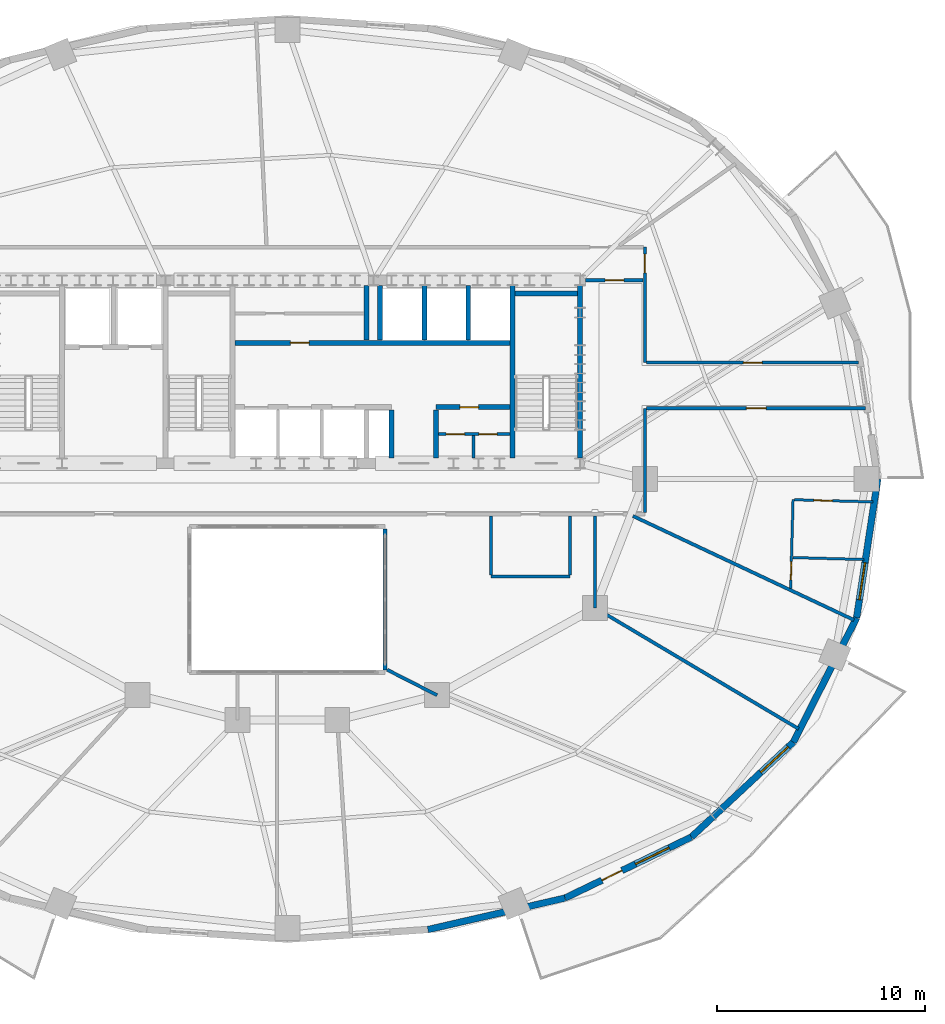
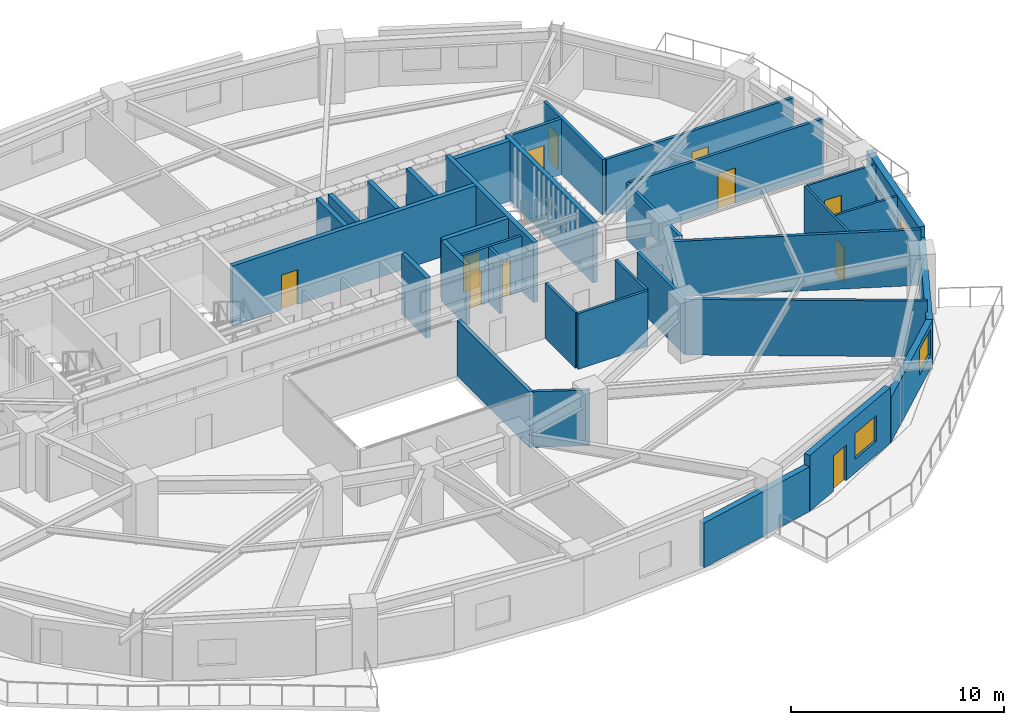
# One storey, part 8 of 13: 34 walls, 11 doors, 3 windows, 14 openings.
"""IFC4 building model written with IfcOpenShell, lengths in metres."""

from ifc_helpers import new_model, si_unit, direction, frame, frame_2d, origin, place, context, subcontext, project, spatial, rectangle, extrude, material, layer, layer_set, type_object, element, fill, save


model = new_model("IFC4")

# Units and contexts
model_context = context("Model", 3, precision=1e-05, world=origin(), true_north=direction((0.0, 1.0)))
body_context = subcontext(model_context, "Body", "Model", "MODEL_VIEW")
ifc_project = project(units=[si_unit("LENGTHUNIT", "METRE"), si_unit("AREAUNIT", "SQUARE_METRE"), si_unit("VOLUMEUNIT", "CUBIC_METRE"), si_unit("PLANEANGLEUNIT", "RADIAN"), si_unit("MASSUNIT", "GRAM", prefix="KILO")], contexts=[model_context])

# Site, building, storey
site_placement = place(None, origin())
site = spatial("IfcSite", under=ifc_project, at=site_placement, CompositionType="ELEMENT")
building_placement = place(site_placement, origin())
building = spatial("IfcBuilding", under=site, at=building_placement, Name="Haldorwick Loom Tower", CompositionType="ELEMENT")
storey_placement = place(building_placement, frame((0.0, 0.0, 124.25)))
storey = spatial("IfcBuildingStorey", under=building, at=storey_placement, Name="L33", CompositionType="ELEMENT", Elevation=124.25)

# Wall
ifc_material_1 = material(Name="Pressed Clay Face Brick and Insulated Masonry Backup Assembly", Category="masonry")
ifc_layer_1 = layer(ifc_material_1, 0.320068359375, Name="Pressed Clay Face Brick and Insulated Masonry Backup Assembly", Category="masonry")
ifc_layer_set_1 = layer_set([ifc_layer_1], Name="Pressed Clay Face Brick and Insulated Masonry Backup Assembly")
wall_type_1 = type_object("IfcWallType", Name="ARC-WL-EXT320", PredefinedType="STANDARD", material=ifc_layer_set_1)
wall_1_placement = place(storey_placement, frame((42.757080078125, 4.325439453125, 0.0), z_axis=(0.0, 0.0, 1.0), x_axis=(0.974584177714, 0.224021607329, 0.0)))
element("IfcWall", 1, at=wall_1_placement, inside=storey, type_object=wall_type_1, Name="L33 Brick Pier and Spandrel Wall 20", PredefinedType="STANDARD", context=body_context, shape_type="SweptSolid", body=[
    extrude(rectangle(XDim=6.767822265625, YDim=0.320068359375, at=frame_2d((3.3837890625, 0.0))), origin(), (0.0, 0.0, 1.0), 2.569091796875),
])

# Wall, openings, door, window
wall_2_placement = place(storey_placement, frame((49.352783203125, 5.841552734375, 0.0), z_axis=(0.0, 0.0, 1.0), x_axis=(0.900510094661, 0.434835106004, 0.0)))
wall_2 = element("IfcWall", 2, at=wall_2_placement, inside=storey, type_object=wall_type_1, Name="L33 Brick Pier and Spandrel Wall 21", PredefinedType="STANDARD", context=body_context, shape_type="SweptSolid", body=[
    extrude(rectangle(XDim=6.744873046875, YDim=0.320068359375, at=frame_2d((3.37255859375, 0.0))), origin(), (0.0, 0.0, 1.0), 3.2099609375),
])
opening_1_placement = place(wall_2_placement, frame((1.96826171875, 0.0, 0.0)))
opening_1 = element("IfcOpeningElement", 3, at=opening_1_placement, cuts=wall_2, Name="Opening D-BL11", PredefinedType="OPENING", context=body_context, shape_type="SweptSolid", body=[
    extrude(rectangle(XDim=1.080078125, YDim=2.0400390625, at=frame_2d((0.5400390625, 1.02001953125))), frame((0.0, 0.169921875, 0.0), z_axis=(0.0, -1.0, 0.0), x_axis=(1.0, 0.0, 0.0)), (0.0, 0.0, 1.0), 0.340087890625),
])
opening_2_placement = place(wall_2_placement, frame((3.763916015625, 0.0, 0.800048828125)))
opening_2 = element("IfcOpeningElement", 4, at=opening_2_placement, cuts=wall_2, Name="Opening W-01", PredefinedType="OPENING", context=body_context, shape_type="SweptSolid", body=[
    extrude(rectangle(XDim=1.800048828125, YDim=1.47998046875, at=frame_2d((0.89990234375, 0.739990234375))), frame((0.0, 0.169921875, 0.0), z_axis=(0.0, -1.0, 0.0), x_axis=(1.0, 0.0, 0.0)), (0.0, 0.0, 1.0), 0.340087890625),
])
ifc_material_2 = material(Name="Thermally Broken Anodized Aluminium Curtain Wall Framing", Category="aluminium")
door_type_1 = type_object("IfcDoorType", Name="ARC-DR-BAL110", OperationType="NOTDEFINED", PredefinedType="DOOR", material=ifc_material_2)
door_1_placement = place(opening_1_placement, origin())
door_1 = element("IfcDoor", 5, at=door_1_placement, inside=storey, type_object=door_type_1, Name="L33 Outdoor Terrace Door SLB-L33-BAL_SE", OperationType="SINGLE_SWING_RIGHT", OverallHeight=2.0400390625, OverallWidth=1.080078125, PredefinedType="DOOR", context=body_context, shape_type="SweptSolid", body=[
    extrude(rectangle(XDim=1.080078125, YDim=2.0400390625, at=frame_2d((0.5400390625, 1.02001953125))), frame((0.0, 0.02490234375, 0.0), z_axis=(0.0, -1.0, 0.0), x_axis=(1.0, 0.0, 0.0)), (0.0, 0.0, 1.0), 0.050048828125),
])
fill(opening_1, door_1)
ifc_material_3 = material(Name="Triple-Glazed Low-E Argon Insulated Glazing Unit", Category="glass")
window_type = type_object("IfcWindowType", Name="ARC-WIN-W180", PartitioningType="SINGLE_PANEL", PredefinedType="WINDOW", material=ifc_material_3)
window_1_placement = place(opening_2_placement, origin())
window_1 = element("IfcWindow", 6, at=window_1_placement, inside=storey, type_object=window_type, Name="L33 Deep-Set Zone 7A Window 21", OverallHeight=1.47998046875, OverallWidth=1.800048828125, PartitioningType="SINGLE_PANEL", PredefinedType="WINDOW", context=body_context, shape_type="SweptSolid", body=[
    extrude(rectangle(XDim=1.800048828125, YDim=1.47998046875, at=frame_2d((0.89990234375, 0.739990234375))), frame((0.0, 0.030029296875, 0.0), z_axis=(0.0, -1.0, 0.0), x_axis=(1.0, 0.0, 0.0)), (0.0, 0.0, 1.0), 0.06005859375),
])
fill(opening_2, window_1)

# Wall, opening, window
wall_3_placement = place(storey_placement, frame((55.426513671875, 8.7744140625, 0.0), z_axis=(0.0, 0.0, 1.0), x_axis=(0.732137360086, 0.681157020052, 0.0)))
wall_3 = element("IfcWall", 7, at=wall_3_placement, inside=storey, type_object=wall_type_1, Name="L33 Brick Pier and Spandrel Wall 22", PredefinedType="STANDARD", context=body_context, shape_type="SweptSolid", body=[
    extrude(rectangle(XDim=6.709228515625, YDim=0.320068359375, at=frame_2d((3.3544921875, 0.0))), origin(), (0.0, 0.0, 1.0), 2.569091796875),
])
opening_3_placement = place(wall_3_placement, frame((4.569580078125, 0.0, 0.800048828125)))
opening_3 = element("IfcOpeningElement", 8, at=opening_3_placement, cuts=wall_3, Name="Opening W-01", PredefinedType="OPENING", context=body_context, shape_type="SweptSolid", body=[
    extrude(rectangle(XDim=1.800048828125, YDim=1.47998046875, at=frame_2d((0.89990234375, 0.739990234375))), frame((0.0, 0.169921875, 0.0), z_axis=(0.0, -1.0, 0.0), x_axis=(1.0, 0.0, 0.0)), (0.0, 0.0, 1.0), 0.340087890625),
])
window_2_placement = place(opening_3_placement, origin())
window_2 = element("IfcWindow", 9, at=window_2_placement, inside=storey, type_object=window_type, Name="L33 Deep-Set Zone 7A Window 22", OverallHeight=1.47998046875, OverallWidth=1.800048828125, PartitioningType="SINGLE_PANEL", PredefinedType="WINDOW", context=body_context, shape_type="SweptSolid", body=[
    extrude(rectangle(XDim=1.800048828125, YDim=1.47998046875, at=frame_2d((0.89990234375, 0.739990234375))), frame((0.0, 0.030029296875, 0.0), z_axis=(0.0, -1.0, 0.0), x_axis=(1.0, 0.0, 0.0)), (0.0, 0.0, 1.0), 0.06005859375),
])
fill(opening_3, window_2)

# Wall
wall_4_placement = place(storey_placement, frame((60.338623046875, 13.344482421875, 0.0), z_axis=(0.0, 0.0, 1.0), x_axis=(0.453374078001, 0.89132033826, 0.0)))
element("IfcWall", 10, at=wall_4_placement, inside=storey, type_object=wall_type_1, Name="L33 Brick Pier and Spandrel Wall 23", PredefinedType="STANDARD", context=body_context, shape_type="SweptSolid", body=[
    extrude(rectangle(XDim=6.709716796875, YDim=0.320068359375, at=frame_2d((3.35498046875, 0.0))), origin(), (0.0, 0.0, 1.0), 2.569091796875),
])

# Wall, opening, window
wall_5_placement = place(storey_placement, frame((63.380615234375, 19.324951171875, 0.0), z_axis=(0.0, 0.0, 1.0), x_axis=(0.150633288003, 0.988589708901, 0.0)))
wall_5 = element("IfcWall", 11, at=wall_5_placement, inside=storey, type_object=wall_type_1, Name="L33 Brick Pier and Spandrel Wall 24", PredefinedType="STANDARD", context=body_context, shape_type="SweptSolid", body=[
    extrude(rectangle(XDim=6.752197265625, YDim=0.320068359375, at=frame_2d((3.3759765625, 0.0))), origin(), (0.0, 0.0, 1.0), 3.2099609375),
])
opening_4_placement = place(wall_5_placement, frame((0.881591796875, 0.0, 0.800048828125)))
opening_4 = element("IfcOpeningElement", 12, at=opening_4_placement, cuts=wall_5, Name="Opening W-01", PredefinedType="OPENING", context=body_context, shape_type="SweptSolid", body=[
    extrude(rectangle(XDim=1.800048828125, YDim=1.47998046875, at=frame_2d((0.89990234375, 0.739990234375))), frame((0.0, 0.169921875, 0.0), z_axis=(0.0, -1.0, 0.0), x_axis=(1.0, 0.0, 0.0)), (0.0, 0.0, 1.0), 0.340087890625),
])
window_3_placement = place(opening_4_placement, origin())
window_3 = element("IfcWindow", 13, at=window_3_placement, inside=storey, type_object=window_type, Name="L33 Deep-Set Zone 7A Window 24", OverallHeight=1.47998046875, OverallWidth=1.800048828125, PartitioningType="SINGLE_PANEL", PredefinedType="WINDOW", context=body_context, shape_type="SweptSolid", body=[
    extrude(rectangle(XDim=1.800048828125, YDim=1.47998046875, at=frame_2d((0.89990234375, 0.739990234375))), frame((0.0, 0.030029296875, 0.0), z_axis=(0.0, -1.0, 0.0), x_axis=(1.0, 0.0, 0.0)), (0.0, 0.0, 1.0), 0.06005859375),
])
fill(opening_4, window_3)

# Wall
ifc_material_4 = material(Name="Fire-Rated Type X Gypsum Stud Assembly EI 60")
ifc_layer_2 = layer(ifc_material_4, 0.159912109375, Name="Fire-Rated Type X Gypsum Stud Assembly EI 60")
ifc_layer_set_2 = layer_set([ifc_layer_2], Name="Fire-Rated Type X Gypsum Stud Assembly EI 60")
wall_type_2 = type_object("IfcWallType", Name="ARC-WL-FIRE160", PredefinedType="PARTITIONING", material=ifc_layer_set_2)
wall_6_placement = place(storey_placement, frame((53.199951171875, 24.383056640625, 0.0), z_axis=(0.0, 0.0, 1.0), x_axis=(0.0, 1.0, 0.0)))
element("IfcWall", 14, at=wall_6_placement, inside=storey, type_object=wall_type_2, Name="L33 Residential Fire Partition L33-CR-E0A", PredefinedType="PARTITIONING", context=body_context, shape_type="SweptSolid", body=[
    extrude(rectangle(XDim=5.016845703125, YDim=0.159912109375, at=frame_2d((2.50830078125, 0.0))), origin(), (0.0, 0.0, 1.0), 3.195068359375),
])

# Wall, opening, door
wall_7_placement = place(storey_placement, frame((53.199951171875, 31.60009765625, 0.0), z_axis=(0.0, 0.0, 1.0), x_axis=(0.0, 1.0, 0.0)))
wall_7 = element("IfcWall", 15, at=wall_7_placement, inside=storey, type_object=wall_type_2, Name="L33 Residential Fire Partition L33-CR-E0B", PredefinedType="PARTITIONING", context=body_context, shape_type="SweptSolid", body=[
    extrude(rectangle(XDim=5.5498046875, YDim=0.159912109375, at=frame_2d((2.77490234375, 0.0))), origin(), (0.0, 0.0, 1.0), 3.195068359375),
])
opening_5_placement = place(wall_7_placement, frame((4.31005859375, 0.0, 0.0)))
opening_5 = element("IfcOpeningElement", 16, at=opening_5_placement, cuts=wall_7, Name="Opening D-FD60A", PredefinedType="OPENING", context=body_context, shape_type="SweptSolid", body=[
    extrude(rectangle(XDim=0.89990234375, YDim=2.0, at=frame_2d((0.449951171875, 1.0))), frame((0.0, 0.08984375, 0.0), z_axis=(0.0, -1.0, 0.0), x_axis=(1.0, 0.0, 0.0)), (0.0, 0.0, 1.0), 0.179931640625),
])
ifc_material_5 = material(Name="Hollow Steel Fire Door Assembly", Category="steel")
door_type_2 = type_object("IfcDoorType", Name="ARC-DR-FD60-90", OperationType="NOTDEFINED", PredefinedType="DOOR", material=ifc_material_5)
door_2_placement = place(opening_5_placement, origin())
door_2 = element("IfcDoor", 17, at=door_2_placement, inside=storey, type_object=door_type_2, Name="L33 L33 North Residential Corridor to Tenant Seminar Room 2 Door", OperationType="SINGLE_SWING_RIGHT", OverallHeight=2.0, OverallWidth=0.89990234375, PredefinedType="DOOR", context=body_context, shape_type="SweptSolid", body=[
    extrude(rectangle(XDim=0.89990234375, YDim=2.0, at=frame_2d((0.449951171875, 1.0))), frame((0.0, 0.02490234375, 0.0), z_axis=(0.0, -1.0, 0.0), x_axis=(1.0, 0.0, 0.0)), (0.0, 0.0, 1.0), 0.050048828125),
])
fill(opening_5, door_2)

wall_8_placement = place(storey_placement, frame((53.282958984375, 29.39990234375, 0.0), z_axis=(0.0, 0.0, 1.0), x_axis=(1.0, 0.0, 0.0)))
wall_8 = element("IfcWall", 18, at=wall_8_placement, inside=storey, type_object=wall_type_2, Name="L33 Residential Fire Partition L33-CR-GE0", PredefinedType="PARTITIONING", context=body_context, shape_type="SweptSolid", body=[
    extrude(rectangle(XDim=10.53076171875, YDim=0.159912109375, at=frame_2d((5.265380859375, 0.0))), origin(), (0.0, 0.0, 1.0), 3.195068359375),
])
opening_6_placement = place(wall_8_placement, frame((4.790283203125, 0.0, 0.0)))
opening_6 = element("IfcOpeningElement", 19, at=opening_6_placement, cuts=wall_8, Name="Opening D-FL95", PredefinedType="OPENING", context=body_context, shape_type="SweptSolid", body=[
    extrude(rectangle(XDim=0.949951171875, YDim=2.0400390625, at=frame_2d((0.47509765625, 1.02001953125))), frame((0.0, 0.08984375, 0.0), z_axis=(0.0, -1.0, 0.0), x_axis=(1.0, 0.0, 0.0)), (0.0, 0.0, 1.0), 0.179931640625),
])
ifc_material_6 = material(Name="Solid Core Birch Architectural Door")
door_type_3 = type_object("IfcDoorType", Name="ARC-DR-FLAT95", OperationType="NOTDEFINED", PredefinedType="DOOR", material=ifc_material_6)
door_3_placement = place(opening_6_placement, origin())
door_3 = element("IfcDoor", 20, at=door_3_placement, inside=storey, type_object=door_type_3, Name="L33 L33 Central Residential Corridor to Unit 33A Kitchen and Living Room", OperationType="SINGLE_SWING_LEFT", OverallHeight=2.0400390625, OverallWidth=0.949951171875, PredefinedType="DOOR", context=body_context, shape_type="SweptSolid", body=[
    extrude(rectangle(XDim=0.949951171875, YDim=2.0400390625, at=frame_2d((0.47509765625, 1.02001953125))), frame((0.0, 0.02490234375, 0.0), z_axis=(0.0, -1.0, 0.0), x_axis=(1.0, 0.0, 0.0)), (0.0, 0.0, 1.0), 0.050048828125),
])
fill(opening_6, door_3)

wall_9_placement = place(storey_placement, frame((53.282958984375, 31.60009765625, 0.0), z_axis=(0.0, 0.0, 1.0), x_axis=(1.0, 0.0, 0.0)))
wall_9 = element("IfcWall", 21, at=wall_9_placement, inside=storey, type_object=wall_type_2, Name="L33 Residential Fire Partition L33-CR-GE1", PredefinedType="PARTITIONING", context=body_context, shape_type="SweptSolid", body=[
    extrude(rectangle(XDim=10.195556640625, YDim=0.159912109375, at=frame_2d((5.09765625, 0.0))), origin(), (0.0, 0.0, 1.0), 3.195068359375),
])
opening_7_placement = place(wall_9_placement, frame((4.647705078125, 0.0, 0.0)))
opening_7 = element("IfcOpeningElement", 22, at=opening_7_placement, cuts=wall_9, Name="Opening D-FD60A", PredefinedType="OPENING", context=body_context, shape_type="SweptSolid", body=[
    extrude(rectangle(XDim=0.89990234375, YDim=2.0, at=frame_2d((0.449951171875, 1.0))), frame((0.0, 0.08984375, 0.0), z_axis=(0.0, -1.0, 0.0), x_axis=(1.0, 0.0, 0.0)), (0.0, 0.0, 1.0), 0.179931640625),
])
door_4_placement = place(opening_7_placement, frame((0.89990234375, 0.0, 0.0), z_axis=(0.0, 0.0, 1.0), x_axis=(-1.0, 0.0, 0.0)))
door_4 = element("IfcDoor", 23, at=door_4_placement, inside=storey, type_object=door_type_2, Name="L33 Tenant Seminar Room 2 to L33 Central Residential Corridor Door", OperationType="SINGLE_SWING_RIGHT", OverallHeight=2.0, OverallWidth=0.89990234375, PredefinedType="DOOR", context=body_context, shape_type="SweptSolid", body=[
    extrude(rectangle(XDim=0.89990234375, YDim=2.0, at=frame_2d((0.449951171875, 1.0))), frame((0.0, 0.02490234375, 0.0), z_axis=(0.0, -1.0, 0.0), x_axis=(1.0, 0.0, 0.0)), (0.0, 0.0, 1.0), 0.050048828125),
])
fill(opening_7, door_4)

wall_10_placement = place(storey_placement, frame((50.35009765625, 35.550048828125, 0.0), z_axis=(0.0, 0.0, 1.0), x_axis=(1.0, 0.0, 0.0)))
wall_10 = element("IfcWall", 24, at=wall_10_placement, inside=storey, type_object=wall_type_2, Name="L33 Residential Fire Partition L33-CR-ENC", PredefinedType="PARTITIONING", context=body_context, shape_type="SweptSolid", body=[
    extrude(rectangle(XDim=2.766845703125, YDim=0.159912109375, at=frame_2d((1.38330078125, 0.0))), origin(), (0.0, 0.0, 1.0), 3.195068359375),
])
opening_8_placement = place(wall_10_placement, frame((0.93359375, 0.0, 0.0)))
opening_8 = element("IfcOpeningElement", 25, at=opening_8_placement, cuts=wall_10, Name="Opening D-FD60A", PredefinedType="OPENING", context=body_context, shape_type="SweptSolid", body=[
    extrude(rectangle(XDim=0.89990234375, YDim=2.0, at=frame_2d((0.449951171875, 1.0))), frame((0.0, 0.08984375, 0.0), z_axis=(0.0, -1.0, 0.0), x_axis=(1.0, 0.0, 0.0)), (0.0, 0.0, 1.0), 0.179931640625),
])
door_5_placement = place(opening_8_placement, origin())
door_5 = element("IfcDoor", 26, at=door_5_placement, inside=storey, type_object=door_type_2, Name="L33 L33 North Residential Corridor to L33 Central Residential Corridor D", OperationType="SINGLE_SWING_RIGHT", OverallHeight=2.0, OverallWidth=0.89990234375, PredefinedType="DOOR", context=body_context, shape_type="SweptSolid", body=[
    extrude(rectangle(XDim=0.89990234375, YDim=2.0, at=frame_2d((0.449951171875, 1.0))), frame((0.0, 0.02490234375, 0.0), z_axis=(0.0, -1.0, 0.0), x_axis=(1.0, 0.0, 0.0)), (0.0, 0.0, 1.0), 0.050048828125),
])
fill(opening_8, door_5)

# Walls
wall_11_placement = place(storey_placement, frame((50.800048828125, 19.800048828125, 0.0), z_axis=(0.0, 0.0, 1.0), x_axis=(0.85958729712, -0.510988922218, 0.0)))
element("IfcWall", 27, at=wall_11_placement, inside=storey, type_object=wall_type_2, Name="L33 Residential Fire Partition L33-ICR-02", PredefinedType="PARTITIONING", context=body_context, shape_type="SweptSolid", body=[
    extrude(rectangle(XDim=11.388427734375, YDim=0.159912109375, at=frame_2d((5.6943359375, 0.0))), origin(), (0.0, 0.0, 1.0), 3.195068359375),
])
wall_12_placement = place(storey_placement, frame((50.800048828125, 24.217041015625, 0.0), z_axis=(0.0, 0.0, 1.0), x_axis=(0.0, -1.0, 0.0)))
element("IfcWall", 28, at=wall_12_placement, inside=storey, type_object=wall_type_2, Name="L33 Residential Fire Partition L33-ICA-01", PredefinedType="PARTITIONING", context=body_context, shape_type="SweptSolid", body=[
    extrude(rectangle(XDim=4.4169921875, YDim=0.159912109375, at=frame_2d((2.20849609375, 0.0))), origin(), (0.0, 0.0, 1.0), 3.195068359375),
])
wall_13_placement = place(storey_placement, frame((40.802978515625, 16.822021484375, 0.0), z_axis=(0.0, 0.0, 1.0), x_axis=(0.890915506237, -0.454169088278, 0.0)))
element("IfcWall", 29, at=wall_13_placement, inside=storey, type_object=wall_type_2, Name="L33 Residential Fire Partition L33-ICA-03", PredefinedType="PARTITIONING", context=body_context, shape_type="SweptSolid", body=[
    extrude(rectangle(XDim=2.6904296875, YDim=0.159912109375, at=frame_2d((1.34521484375, 0.0))), origin(), (0.0, 0.0, 1.0), 3.195068359375),
])
wall_14_placement = place(storey_placement, frame((63.251708984375, 19.215087890625, 0.0), z_axis=(0.0, 0.0, 1.0), x_axis=(-0.904814934117, 0.425805043417, 0.0)))
element("IfcWall", 30, at=wall_14_placement, inside=storey, type_object=wall_type_2, Name="L33 Suite Split Wall", PredefinedType="PARTITIONING", context=body_context, shape_type="SweptSolid", body=[
    extrude(rectangle(XDim=11.7470703125, YDim=0.159912109375, at=frame_2d((5.87353515625, 0.0))), origin(), (0.0, 0.0, 1.0), 3.195068359375),
])
ifc_material_7 = material(Name="Fire-Rated Type X Gypsum Stud Assembly EI 120")
ifc_layer_3 = layer(ifc_material_7, 0.199951171875, Name="Fire-Rated Type X Gypsum Stud Assembly EI 120")
ifc_layer_set_3 = layer_set([ifc_layer_3], Name="Fire-Rated Type X Gypsum Stud Assembly EI 120")
wall_type_3 = type_object("IfcWallType", Name="ARC-WL-FIRE200", PredefinedType="PARTITIONING", material=ifc_layer_set_3)
wall_15_placement = place(storey_placement, frame((40.699951171875, 23.596923828125, 0.0), z_axis=(0.0, 0.0, 1.0), x_axis=(0.0, -1.0, 0.0)))
element("IfcWall", 31, at=wall_15_placement, inside=storey, type_object=wall_type_3, Name="L33 Atrium Fire Enclosure Wall E", PredefinedType="PARTITIONING", context=body_context, shape_type="SweptSolid", body=[
    extrude(rectangle(XDim=6.7939453125, YDim=0.199951171875, at=frame_2d((3.39697265625, 0.0))), origin(), (0.0, 0.0, 1.0), 3.195068359375),
])

# Wall, opening, door
ifc_material_8 = material(Name="Acoustic Gypsum Stud Assembly STC 55")
ifc_layer_4 = layer(ifc_material_8, 0.1201171875, Name="Acoustic Gypsum Stud Assembly STC 55")
ifc_layer_set_4 = layer_set([ifc_layer_4], Name="Acoustic Gypsum Stud Assembly STC 55")
wall_type_4 = type_object("IfcWallType", Name="ARC-WL-PART120", PredefinedType="PARTITIONING", material=ifc_layer_set_4)
wall_16_placement = place(storey_placement, frame((60.20458984375, 20.74072265625, 0.0), z_axis=(0.0, 0.0, 1.0), x_axis=(0.027549271467, 0.999620446791, 0.0)))
wall_16 = element("IfcWall", 32, at=wall_16_placement, inside=storey, type_object=wall_type_4, Name="L33 Unit 33A Interior Partition", PredefinedType="PARTITIONING", context=body_context, shape_type="SweptSolid", body=[
    extrude(rectangle(XDim=4.2626953125, YDim=0.1201171875, at=frame_2d((2.13134765625, 0.0))), origin(), (0.0, 0.0, 1.0), 3.195068359375),
])
opening_9_placement = place(wall_16_placement, frame((0.401123046875, 0.0, 0.0)))
opening_9 = element("IfcOpeningElement", 33, at=opening_9_placement, cuts=wall_16, Name="Opening D-BT88", PredefinedType="OPENING", context=body_context, shape_type="SweptSolid", body=[
    extrude(rectangle(XDim=0.8798828125, YDim=2.02001953125, at=frame_2d((0.43994140625, 1.010009765625))), frame((0.0, 0.070068359375, 0.0), z_axis=(0.0, -1.0, 0.0), x_axis=(1.0, 0.0, 0.0)), (0.0, 0.0, 1.0), 0.14013671875),
])
door_type_4 = type_object("IfcDoorType", Name="ARC-DR-BATH88", OperationType="NOTDEFINED", PredefinedType="DOOR", material=ifc_material_6)
door_6_placement = place(opening_9_placement, origin())
door_6 = element("IfcDoor", 34, at=door_6_placement, inside=storey, type_object=door_type_4, Name="L33 Unit 33A Kitchen and Living Room to Unit 33A Bathroom Door", OperationType="SINGLE_SWING_LEFT", OverallHeight=2.02001953125, OverallWidth=0.8798828125, PredefinedType="DOOR", context=body_context, shape_type="SweptSolid", body=[
    extrude(rectangle(XDim=0.8798828125, YDim=2.02001953125, at=frame_2d((0.43994140625, 1.010009765625))), frame((0.0, 0.02490234375, 0.0), z_axis=(0.0, -1.0, 0.0), x_axis=(1.0, 0.0, 0.0)), (0.0, 0.0, 1.0), 0.050048828125),
])
fill(opening_9, door_6)

wall_17_placement = place(storey_placement, frame((60.385009765625, 25.0, 0.0), z_axis=(0.0, 0.0, 1.0), x_axis=(0.999621410161, -0.027514293515, 0.0)))
wall_17 = element("IfcWall", 35, at=wall_17_placement, inside=storey, type_object=wall_type_4, Name="L33 Unit 33A Interior Partition", PredefinedType="PARTITIONING", context=body_context, shape_type="SweptSolid", body=[
    extrude(rectangle(XDim=3.780029296875, YDim=0.1201171875, at=frame_2d((1.89013671875, 0.0))), origin(), (0.0, 0.0, 1.0), 3.195068359375),
])
opening_10_placement = place(wall_17_placement, frame((0.9345703125, 0.0, 0.0)))
opening_10 = element("IfcOpeningElement", 36, at=opening_10_placement, cuts=wall_17, Name="Opening D-IN90", PredefinedType="OPENING", context=body_context, shape_type="SweptSolid", body=[
    extrude(rectangle(XDim=0.89990234375, YDim=2.0400390625, at=frame_2d((0.449951171875, 1.02001953125))), frame((0.0, 0.070068359375, 0.0), z_axis=(0.0, -1.0, 0.0), x_axis=(1.0, 0.0, 0.0)), (0.0, 0.0, 1.0), 0.14013671875),
])
door_type_5 = type_object("IfcDoorType", Name="ARC-DR-INT90", OperationType="NOTDEFINED", PredefinedType="DOOR", material=ifc_material_6)
door_7_placement = place(opening_10_placement, origin())
door_7 = element("IfcDoor", 37, at=door_7_placement, inside=storey, type_object=door_type_5, Name="L33 Unit 33A Kitchen and Living Room to Unit 33A Bedroom 1 Door", OperationType="SINGLE_SWING_LEFT", OverallHeight=2.0400390625, OverallWidth=0.89990234375, PredefinedType="DOOR", context=body_context, shape_type="SweptSolid", body=[
    extrude(rectangle(XDim=0.89990234375, YDim=2.0400390625, at=frame_2d((0.449951171875, 1.02001953125))), frame((0.0, 0.02490234375, 0.0), z_axis=(0.0, -1.0, 0.0), x_axis=(1.0, 0.0, 0.0)), (0.0, 0.0, 1.0), 0.050048828125),
])
fill(opening_10, door_7)

# Wall
wall_18_placement = place(storey_placement, frame((60.308349609375, 22.219482421875, 0.0), z_axis=(0.0, 0.0, 1.0), x_axis=(0.999621512858, -0.027510562187, 0.0)))
element("IfcWall", 38, at=wall_18_placement, inside=storey, type_object=wall_type_4, Name="L33 Unit 33A Interior Partition", PredefinedType="PARTITIONING", context=body_context, shape_type="SweptSolid", body=[
    extrude(rectangle(XDim=3.434326171875, YDim=0.1201171875, at=frame_2d((1.71728515625, 0.0))), origin(), (0.0, 0.0, 1.0), 3.195068359375),
])

# Wall, openings, doors
ifc_layer_5 = layer(ifc_material_4, 0.139892578125, Name="Fire-Rated Type X Gypsum Stud Assembly EI 60")
ifc_layer_set_5 = layer_set([ifc_layer_5], Name="Fire-Rated Type X Gypsum Stud Assembly EI 60")
wall_type_5 = type_object("IfcWallType", Name="ARC-WL-PART140", PredefinedType="PARTITIONING", material=ifc_layer_set_5)
wall_19_placement = place(storey_placement, frame((43.27294921875, 28.159912109375, 0.0), z_axis=(0.0, 0.0, 1.0), x_axis=(1.0, 0.0, 0.0)))
wall_19 = element("IfcWall", 39, at=wall_19_placement, inside=storey, type_object=wall_type_5, Name="L33 Telecom Partition", PredefinedType="PARTITIONING", context=body_context, shape_type="SweptSolid", body=[
    extrude(rectangle(XDim=3.43408203125, YDim=0.139892578125, at=frame_2d((1.717041015625, 0.0))), origin(), (0.0, 0.0, 1.0), 3.195068359375),
])
opening_11_placement = place(wall_19_placement, frame((0.366943359375, 0.0, 0.0)))
opening_11 = element("IfcOpeningElement", 40, at=opening_11_placement, cuts=wall_19, Name="Opening D-BT88", PredefinedType="OPENING", context=body_context, shape_type="SweptSolid", body=[
    extrude(rectangle(XDim=0.8798828125, YDim=2.02001953125, at=frame_2d((0.43994140625, 1.010009765625))), frame((0.0, 0.079833984375, 0.0), z_axis=(0.0, -1.0, 0.0), x_axis=(1.0, 0.0, 0.0)), (0.0, 0.0, 1.0), 0.159912109375),
])
opening_12_placement = place(wall_19_placement, frame((1.93701171875, 0.0, 0.0)))
opening_12 = element("IfcOpeningElement", 41, at=opening_12_placement, cuts=wall_19, Name="Opening D-BT88", PredefinedType="OPENING", context=body_context, shape_type="SweptSolid", body=[
    extrude(rectangle(XDim=0.8798828125, YDim=2.02001953125, at=frame_2d((0.43994140625, 1.010009765625))), frame((0.0, 0.079833984375, 0.0), z_axis=(0.0, -1.0, 0.0), x_axis=(1.0, 0.0, 0.0)), (0.0, 0.0, 1.0), 0.159912109375),
])
door_8_placement = place(opening_11_placement, origin())
door_8 = element("IfcDoor", 42, at=door_8_placement, inside=storey, type_object=door_type_4, Name="L33 Telecom Room Door", OperationType="SINGLE_SWING_LEFT", OverallHeight=2.02001953125, OverallWidth=0.8798828125, PredefinedType="DOOR", context=body_context, shape_type="SweptSolid", body=[
    extrude(rectangle(XDim=0.8798828125, YDim=2.02001953125, at=frame_2d((0.43994140625, 1.010009765625))), frame((0.0, 0.02490234375, 0.0), z_axis=(0.0, -1.0, 0.0), x_axis=(1.0, 0.0, 0.0)), (0.0, 0.0, 1.0), 0.050048828125),
])
fill(opening_11, door_8)
door_9_placement = place(opening_12_placement, origin())
door_9 = element("IfcDoor", 43, at=door_9_placement, inside=storey, type_object=door_type_4, Name="L33 Metering Closet Door", OperationType="SINGLE_SWING_RIGHT", OverallHeight=2.02001953125, OverallWidth=0.8798828125, PredefinedType="DOOR", context=body_context, shape_type="SweptSolid", body=[
    extrude(rectangle(XDim=0.8798828125, YDim=2.02001953125, at=frame_2d((0.43994140625, 1.010009765625))), frame((0.0, 0.02490234375, 0.0), z_axis=(0.0, -1.0, 0.0), x_axis=(1.0, 0.0, 0.0)), (0.0, 0.0, 1.0), 0.050048828125),
])
fill(opening_12, door_9)

# Walls
wall_20_placement = place(storey_placement, frame((44.949951171875, 27.0029296875, 0.0), z_axis=(0.0, 0.0, 1.0), x_axis=(0.0, 1.0, 0.0)))
element("IfcWall", 44, at=wall_20_placement, inside=storey, type_object=wall_type_5, Name="L33 Metering Sub-Partition", PredefinedType="PARTITIONING", context=body_context, shape_type="SweptSolid", body=[
    extrude(rectangle(XDim=1.083984375, YDim=0.139892578125, at=frame_2d((0.5419921875, 0.0))), origin(), (0.0, 0.0, 1.0), 3.195068359375),
])
wall_21_placement = place(storey_placement, frame((45.800048828125, 21.300048828125, 0.0), z_axis=(0.0, 0.0, 1.0), x_axis=(1.0, 0.0, 0.0)))
element("IfcWall", 45, at=wall_21_placement, inside=storey, type_object=wall_type_5, Name="L33 Residential Fire Partition L33-CWC-S", PredefinedType="PARTITIONING", context=body_context, shape_type="SweptSolid", body=[
    extrude(rectangle(XDim=3.800048828125, YDim=0.139892578125, at=frame_2d((1.89990234375, 0.0))), origin(), (0.0, 0.0, 1.0), 3.195068359375),
])
for number, where, z_axis, x_axis, name in (
    (46, (45.800048828125, 21.373046875, 0.0), (0.0, 0.0, 1.0), (0.0, 1.0, 0.0), "L33 Residential Fire Partition L33-CWC-W"),
    (47, (49.60009765625, 21.373046875, 0.0), (0.0, 0.0, 1.0), (0.0, 1.0, 0.0), "L33 Residential Fire Partition L33-CWC-E"),
):
    element("IfcWall", number, at=place(storey_placement, frame(where, z_axis=z_axis, x_axis=x_axis)), inside=storey, type_object=wall_type_5, Name=name, PredefinedType="PARTITIONING", context=body_context, shape_type="SweptSolid", body=[
        extrude(rectangle(XDim=2.843994140625, YDim=0.139892578125, at=frame_2d((1.421875, 0.0))), origin(), (0.0, 0.0, 1.0), 3.195068359375),
    ])
ifc_material_9 = material(Name="Concrete C50 (50 MPa)", Category="concrete")
ifc_layer_6 = layer(ifc_material_9, 0.239990234375, Name="Concrete C50 (50 MPa)", Category="concrete")
ifc_layer_set_6 = layer_set([ifc_layer_6], Name="Concrete C50 (50 MPa)")
wall_type_6 = type_object("IfcWallType", Name="STR-WL-SHAFT240", PredefinedType="SHEAR", material=ifc_layer_set_6)
for number, where, z_axis, x_axis, name in (
    (48, (50.070068359375, 27.0029296875, 0.0), (0.0, 0.0, 1.0), (0.0, 1.0, 0.0), "L33 Core Shear Wall E"),
    (49, (46.830078125, 27.0029296875, 0.0), (0.0, 0.0, 1.0), (0.0, 1.0, 0.0), "L33 Core Shear Wall 4"),
):
    element("IfcWall", number, at=place(storey_placement, frame(where, z_axis=z_axis, x_axis=x_axis)), inside=storey, type_object=wall_type_6, Name=name, PredefinedType="SHEAR", context=body_context, shape_type="SweptSolid", body=[
        extrude(rectangle(XDim=8.294189453125, YDim=0.239990234375, at=frame_2d((4.14697265625, 0.0))), origin(), (0.0, 0.0, 1.0), 3.449951171875),
    ])
wall_22_placement = place(storey_placement, frame((46.952880859375, 34.919921875, 0.0), z_axis=(0.0, 0.0, 1.0), x_axis=(1.0, 0.0, 0.0)))
element("IfcWall", 50, at=wall_22_placement, inside=storey, type_object=wall_type_6, Name="L33 Core Shear Wall 4N", PredefinedType="SHEAR", context=body_context, shape_type="SweptSolid", body=[
    extrude(rectangle(XDim=2.994140625, YDim=0.239990234375, at=frame_2d((1.4970703125, 0.0))), origin(), (0.0, 0.0, 1.0), 3.449951171875),
])

# Wall, opening, door
wall_23_placement = place(storey_placement, frame((33.492919921875, 32.550048828125, 0.0), z_axis=(0.0, 0.0, 1.0), x_axis=(1.0, 0.0, 0.0)))
wall_23 = element("IfcWall", 51, at=wall_23_placement, inside=storey, type_object=wall_type_6, Name="L33 Core Shear Wall LN", PredefinedType="SHEAR", context=body_context, shape_type="SweptSolid", body=[
    extrude(rectangle(XDim=13.214111328125, YDim=0.239990234375, at=frame_2d((6.60693359375, 0.0))), origin(), (0.0, 0.0, 1.0), 3.449951171875),
])
opening_13_placement = place(wall_23_placement, frame((2.656982421875, 0.0, 0.0)))
opening_13 = element("IfcOpeningElement", 52, at=opening_13_placement, cuts=wall_23, Name="Opening D-FD60A", PredefinedType="OPENING", context=body_context, shape_type="SweptSolid", body=[
    extrude(rectangle(XDim=0.89990234375, YDim=2.0, at=frame_2d((0.449951171875, 1.0))), frame((0.0, 0.1298828125, 0.0), z_axis=(0.0, -1.0, 0.0), x_axis=(1.0, 0.0, 0.0)), (0.0, 0.0, 1.0), 0.260009765625),
])
door_10_placement = place(opening_13_placement, frame((0.89990234375, 0.0, 0.0), z_axis=(0.0, 0.0, 1.0), x_axis=(-1.0, 0.0, 0.0)))
door_10 = element("IfcDoor", 53, at=door_10_placement, inside=storey, type_object=door_type_2, Name="L33 Floor Equipment Door", OperationType="SINGLE_SWING_RIGHT", OverallHeight=2.0, OverallWidth=0.89990234375, PredefinedType="DOOR", context=body_context, shape_type="SweptSolid", body=[
    extrude(rectangle(XDim=0.89990234375, YDim=2.0, at=frame_2d((0.449951171875, 1.0))), frame((0.0, 0.02490234375, 0.0), z_axis=(0.0, -1.0, 0.0), x_axis=(1.0, 0.0, 0.0)), (0.0, 0.0, 1.0), 0.050048828125),
])
fill(opening_13, door_10)

wall_24_placement = place(storey_placement, frame((43.14990234375, 29.449951171875, 0.0), z_axis=(0.0, 0.0, 1.0), x_axis=(1.0, 0.0, 0.0)))
wall_24 = element("IfcWall", 54, at=wall_24_placement, inside=storey, type_object=wall_type_6, Name="L33 Core Shear Wall LS2", PredefinedType="SHEAR", context=body_context, shape_type="SweptSolid", body=[
    extrude(rectangle(XDim=3.55712890625, YDim=0.239990234375, at=frame_2d((1.778564453125, 0.0))), origin(), (0.0, 0.0, 1.0), 3.449951171875),
])
opening_14_placement = place(wall_24_placement, frame((1.14990234375, 0.0, 0.0)))
opening_14 = element("IfcOpeningElement", 55, at=opening_14_placement, cuts=wall_24, Name="Opening D-FD60A", PredefinedType="OPENING", context=body_context, shape_type="SweptSolid", body=[
    extrude(rectangle(XDim=0.89990234375, YDim=2.0, at=frame_2d((0.449951171875, 1.0))), frame((0.0, 0.1298828125, 0.0), z_axis=(0.0, -1.0, 0.0), x_axis=(1.0, 0.0, 0.0)), (0.0, 0.0, 1.0), 0.260009765625),
])
door_11_placement = place(opening_14_placement, origin())
door_11 = element("IfcDoor", 56, at=door_11_placement, inside=storey, type_object=door_type_2, Name="L33 Janitor Closet Door", OperationType="SINGLE_SWING_LEFT", OverallHeight=2.0, OverallWidth=0.89990234375, PredefinedType="DOOR", context=body_context, shape_type="SweptSolid", body=[
    extrude(rectangle(XDim=0.89990234375, YDim=2.0, at=frame_2d((0.449951171875, 1.0))), frame((0.0, 0.02490234375, 0.0), z_axis=(0.0, -1.0, 0.0), x_axis=(1.0, 0.0, 0.0)), (0.0, 0.0, 1.0), 0.050048828125),
])
fill(opening_14, door_11)

# Walls
for number, where, z_axis, x_axis, name in (
    (57, (41.0, 27.0029296875, 0.0), (0.0, 0.0, 1.0), (0.0, 1.0, 0.0), "L33 Core Shear Wall THW"),
    (58, (43.14990234375, 27.0029296875, 0.0), (0.0, 0.0, 1.0), (0.0, 1.0, 0.0), "L33 Core Shear Wall THE"),
):
    element("IfcWall", number, at=place(storey_placement, frame(where, z_axis=z_axis, x_axis=x_axis)), inside=storey, type_object=wall_type_6, Name=name, PredefinedType="SHEAR", context=body_context, shape_type="SweptSolid", body=[
        extrude(rectangle(XDim=2.323974609375, YDim=0.239990234375, at=frame_2d((1.162109375, 0.0))), origin(), (0.0, 0.0, 1.0), 3.449951171875),
    ])
for number, where, z_axis, x_axis, name in (
    (59, (39.800048828125, 32.673095703125, 0.0), (0.0, 0.0, 1.0), (0.0, 1.0, 0.0), "L33 Core Shear Wall LHW"),
    (60, (40.449951171875, 32.673095703125, 0.0), (0.0, 0.0, 1.0), (0.0, 1.0, 0.0), "L33 Core Shear Wall H0"),
    (61, (42.60009765625, 32.673095703125, 0.0), (0.0, 0.0, 1.0), (0.0, 1.0, 0.0), "L33 Core Shear Wall H1"),
    (62, (44.699951171875, 32.673095703125, 0.0), (0.0, 0.0, 1.0), (0.0, 1.0, 0.0), "L33 Core Shear Wall H2"),
):
    element("IfcWall", number, at=place(storey_placement, frame(where, z_axis=z_axis, x_axis=x_axis)), inside=storey, type_object=wall_type_6, Name=name, PredefinedType="SHEAR", context=body_context, shape_type="SweptSolid", body=[
        extrude(rectangle(XDim=2.6240234375, YDim=0.239990234375, at=frame_2d((1.31201171875, 0.0))), origin(), (0.0, 0.0, 1.0), 3.449951171875),
    ])

save(model, "model.ifc")
